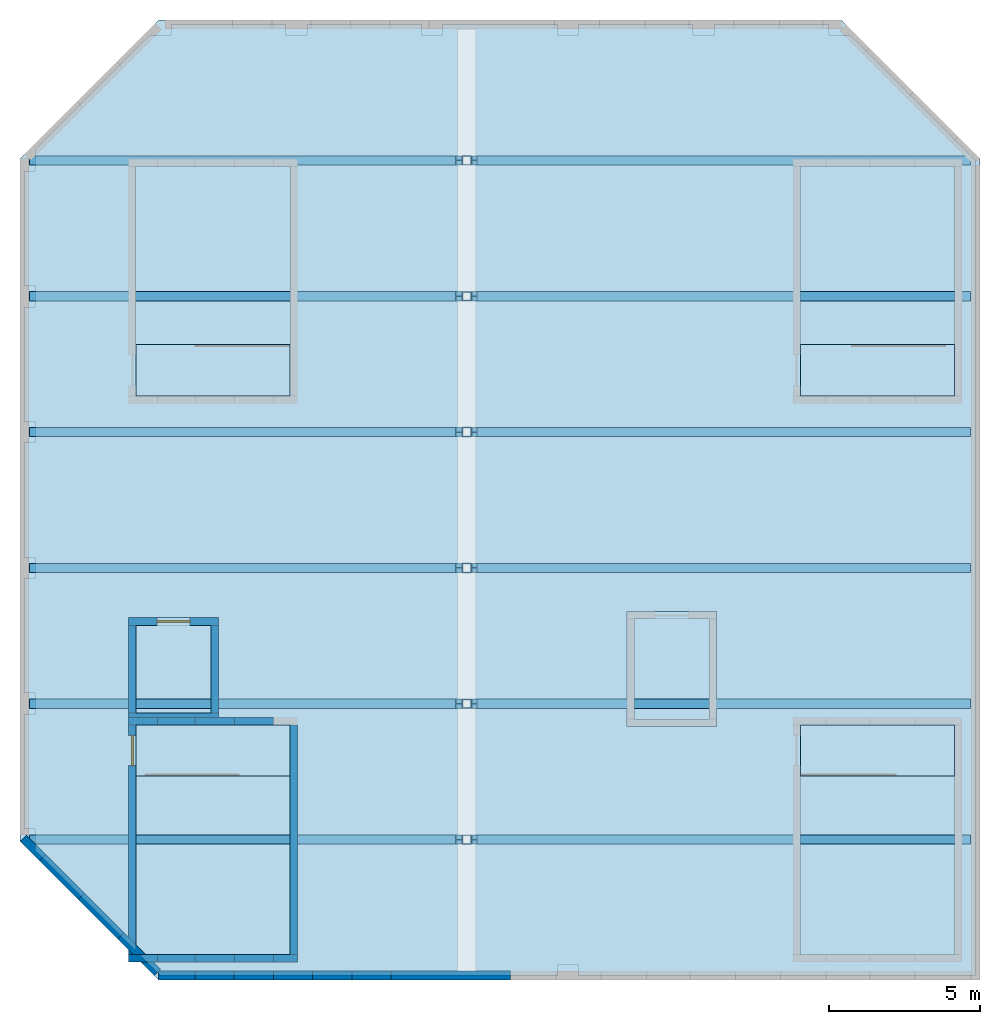
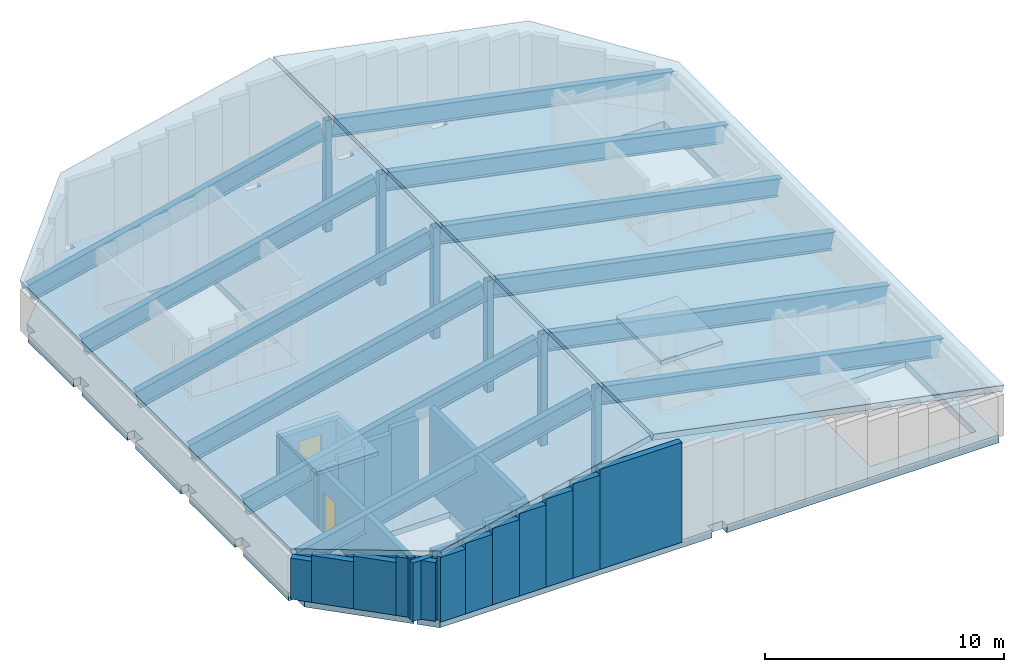
# One storey, part 1 of 4: 26 walls, 18 members, 9 slabs, 2 doors, 2 openings.
"""IFC4 building model written with IfcOpenShell, lengths in metres."""

from ifc_helpers import new_model, si_unit, direction, frame, frame_2d, origin, origin_2d, place, context, subcontext, project, spatial, polyline, rectangle, hollow_rectangle, i_section, outline, extrude, material, layer, layer_set, material_profile, profile_set, type_object, element, fill, save


model = new_model("IFC4")

# Units and contexts
model_context = context("Model", 3, precision=1e-05, world=origin(), true_north=direction((0.0, 1.0)))
body_context = subcontext(model_context, "Body", "Model", "MODEL_VIEW")
ifc_project = project(units=[si_unit("LENGTHUNIT", "METRE"), si_unit("AREAUNIT", "SQUARE_METRE"), si_unit("VOLUMEUNIT", "CUBIC_METRE"), si_unit("PLANEANGLEUNIT", "RADIAN"), si_unit("MASSUNIT", "GRAM", prefix="KILO")], contexts=[model_context])

# Site, building, storey
site_placement = place(None, origin())
site = spatial("IfcSite", under=ifc_project, at=site_placement, CompositionType="ELEMENT")
building_placement = place(site_placement, origin())
building = spatial("IfcBuilding", under=site, at=building_placement, Name="Corbel Stack Research Tower", CompositionType="ELEMENT")
storey_placement = place(building_placement, frame((0.0, 0.0, 329.800048828125)))
storey = spatial("IfcBuildingStorey", under=building, at=storey_placement, Name="RF", CompositionType="ELEMENT", Elevation=329.800048828125)

# Members
ifc_material_1 = material(Name="Steel S355", Category="steel")
ifc_material_profile_1 = material_profile(ifc_material_1, hollow_rectangle(XDim=0.304931640625, YDim=0.304931640625, WallThickness=0.014892578125, at=origin_2d()), Name="HSS12x12x5/8")
ifc_profile_set_1 = profile_set([ifc_material_profile_1], Name="Steel S355")
member_type_1 = type_object("IfcMemberType", Name="King post HSS12x12x5/8", PredefinedType="POST", material=ifc_profile_set_1)
for number, where, z_axis, x_axis, name in (
    (1, (1.14990234375, -4.5, 0.0), (0.0, 0.0, 1.0), (1.0, 0.0, 0.0), "King post -4.5"),
    (2, (1.14990234375, 0.0, 0.0), (0.0, 0.0, 1.0), (1.0, 0.0, 0.0), "King post 0"),
    (3, (1.14990234375, 4.5, 0.0), (0.0, 0.0, 1.0), (1.0, 0.0, 0.0), "King post 4.5"),
    (4, (1.14990234375, 9.0, 0.0), (0.0, 0.0, 1.0), (1.0, 0.0, 0.0), "King post 9"),
    (5, (1.14990234375, 13.5, 0.0), (0.0, 0.0, 1.0), (1.0, 0.0, 0.0), "King post 13.5"),
    (6, (1.14990234375, 18.0, 0.0), (0.0, 0.0, 1.0), (1.0, 0.0, 0.0), "King post 18"),
):
    element("IfcMember", number, at=place(storey_placement, frame(where, z_axis=z_axis, x_axis=x_axis)), inside=storey, type_object=member_type_1, Name=name, PredefinedType="POST", context=body_context, shape_type="SweptSolid", body=[
        extrude(hollow_rectangle(XDim=0.304931640625, YDim=0.304931640625, WallThickness=0.014892578125, at=origin_2d()), origin(), (0.0, 0.0, 1.0), 5.671630859375),
    ])
ifc_material_2 = material(Name="Steel S355", Category="steel")
ifc_material_profile_2 = material_profile(ifc_material_2, i_section(OverallWidth=0.303955078125, OverallDepth=0.903076171875, WebThickness=0.014892578125, FlangeThickness=0.02001953125, at=origin_2d()), Name="W36x135")
ifc_profile_set_2 = profile_set([ifc_material_profile_2], Name="Steel S355")
member_type_2 = type_object("IfcMemberType", Name="Roof rafter W36x135", PredefinedType="RAFTER", material=ifc_profile_set_2)
member_1_placement = place(storey_placement, frame((-13.238037109375, -4.5, 1.889404296875), z_axis=(0.974113756026, 0.0, 0.226058378127), x_axis=(0.0, 1.0, 0.0)))
element("IfcMember", 7, at=member_1_placement, inside=storey, type_object=member_type_2, Name="Roof rafter W -4.5", PredefinedType="RAFTER", context=body_context, shape_type="SweptSolid", body=[
    extrude(i_section(OverallWidth=0.303955078125, OverallDepth=0.903076171875, WebThickness=0.014892578125, FlangeThickness=0.02001953125, at=origin_2d()), origin(), (0.0, 0.0, 1.0), 14.498779296875),
])
member_2_placement = place(storey_placement, frame((17.750732421875, -4.5, 1.883544921875), z_axis=(-0.980241418389, 0.0, 0.197804857563), x_axis=(0.0, -1.0, 0.0)))
element("IfcMember", 8, at=member_2_placement, inside=storey, type_object=member_type_2, Name="Roof rafter E -4.5", PredefinedType="RAFTER", context=body_context, shape_type="SweptSolid", body=[
    extrude(i_section(OverallWidth=0.303955078125, OverallDepth=0.903076171875, WebThickness=0.014892578125, FlangeThickness=0.02001953125, at=origin_2d()), origin(), (0.0, 0.0, 1.0), 16.678466796875),
])
member_3_placement = place(storey_placement, frame((-13.238037109375, 0.0, 1.889404296875), z_axis=(0.974113756026, 0.0, 0.226058378127), x_axis=(0.0, 1.0, 0.0)))
element("IfcMember", 9, at=member_3_placement, inside=storey, type_object=member_type_2, Name="Roof rafter W 0", PredefinedType="RAFTER", context=body_context, shape_type="SweptSolid", body=[
    extrude(i_section(OverallWidth=0.303955078125, OverallDepth=0.903076171875, WebThickness=0.014892578125, FlangeThickness=0.02001953125, at=origin_2d()), origin(), (0.0, 0.0, 1.0), 14.498779296875),
])
member_4_placement = place(storey_placement, frame((17.750732421875, 0.0, 1.883544921875), z_axis=(-0.980241418389, 0.0, 0.197804857563), x_axis=(0.0, -1.0, 0.0)))
element("IfcMember", 10, at=member_4_placement, inside=storey, type_object=member_type_2, Name="Roof rafter E 0", PredefinedType="RAFTER", context=body_context, shape_type="SweptSolid", body=[
    extrude(i_section(OverallWidth=0.303955078125, OverallDepth=0.903076171875, WebThickness=0.014892578125, FlangeThickness=0.02001953125, at=origin_2d()), origin(), (0.0, 0.0, 1.0), 16.678466796875),
])
member_5_placement = place(storey_placement, frame((-13.238037109375, 4.5, 1.889404296875), z_axis=(0.974113756026, 0.0, 0.226058378127), x_axis=(0.0, 1.0, 0.0)))
element("IfcMember", 11, at=member_5_placement, inside=storey, type_object=member_type_2, Name="Roof rafter W 4.5", PredefinedType="RAFTER", context=body_context, shape_type="SweptSolid", body=[
    extrude(i_section(OverallWidth=0.303955078125, OverallDepth=0.903076171875, WebThickness=0.014892578125, FlangeThickness=0.02001953125, at=origin_2d()), origin(), (0.0, 0.0, 1.0), 14.498779296875),
])
member_6_placement = place(storey_placement, frame((17.750732421875, 4.5, 1.883544921875), z_axis=(-0.980241418389, 0.0, 0.197804857563), x_axis=(0.0, -1.0, 0.0)))
element("IfcMember", 12, at=member_6_placement, inside=storey, type_object=member_type_2, Name="Roof rafter E 4.5", PredefinedType="RAFTER", context=body_context, shape_type="SweptSolid", body=[
    extrude(i_section(OverallWidth=0.303955078125, OverallDepth=0.903076171875, WebThickness=0.014892578125, FlangeThickness=0.02001953125, at=origin_2d()), origin(), (0.0, 0.0, 1.0), 16.678466796875),
])
member_7_placement = place(storey_placement, frame((-13.238037109375, 9.0, 1.889404296875), z_axis=(0.974113756026, 0.0, 0.226058378127), x_axis=(0.0, 1.0, 0.0)))
element("IfcMember", 13, at=member_7_placement, inside=storey, type_object=member_type_2, Name="Roof rafter W 9", PredefinedType="RAFTER", context=body_context, shape_type="SweptSolid", body=[
    extrude(i_section(OverallWidth=0.303955078125, OverallDepth=0.903076171875, WebThickness=0.014892578125, FlangeThickness=0.02001953125, at=origin_2d()), origin(), (0.0, 0.0, 1.0), 14.498779296875),
])
member_8_placement = place(storey_placement, frame((17.750732421875, 9.0, 1.883544921875), z_axis=(-0.980241418389, 0.0, 0.197804857563), x_axis=(0.0, -1.0, 0.0)))
element("IfcMember", 14, at=member_8_placement, inside=storey, type_object=member_type_2, Name="Roof rafter E 9", PredefinedType="RAFTER", context=body_context, shape_type="SweptSolid", body=[
    extrude(i_section(OverallWidth=0.303955078125, OverallDepth=0.903076171875, WebThickness=0.014892578125, FlangeThickness=0.02001953125, at=origin_2d()), origin(), (0.0, 0.0, 1.0), 16.678466796875),
])
member_9_placement = place(storey_placement, frame((-13.238037109375, 13.5, 1.889404296875), z_axis=(0.974113756026, 0.0, 0.226058378127), x_axis=(0.0, 1.0, 0.0)))
element("IfcMember", 15, at=member_9_placement, inside=storey, type_object=member_type_2, Name="Roof rafter W 13.5", PredefinedType="RAFTER", context=body_context, shape_type="SweptSolid", body=[
    extrude(i_section(OverallWidth=0.303955078125, OverallDepth=0.903076171875, WebThickness=0.014892578125, FlangeThickness=0.02001953125, at=origin_2d()), origin(), (0.0, 0.0, 1.0), 14.498779296875),
])
member_10_placement = place(storey_placement, frame((17.750732421875, 13.5, 1.883544921875), z_axis=(-0.980241418389, 0.0, 0.197804857563), x_axis=(0.0, -1.0, 0.0)))
element("IfcMember", 16, at=member_10_placement, inside=storey, type_object=member_type_2, Name="Roof rafter E 13.5", PredefinedType="RAFTER", context=body_context, shape_type="SweptSolid", body=[
    extrude(i_section(OverallWidth=0.303955078125, OverallDepth=0.903076171875, WebThickness=0.014892578125, FlangeThickness=0.02001953125, at=origin_2d()), origin(), (0.0, 0.0, 1.0), 16.678466796875),
])
member_11_placement = place(storey_placement, frame((-13.238037109375, 18.0, 1.889404296875), z_axis=(0.974113756026, 0.0, 0.226058378127), x_axis=(0.0, 1.0, 0.0)))
element("IfcMember", 17, at=member_11_placement, inside=storey, type_object=member_type_2, Name="Roof rafter W 18", PredefinedType="RAFTER", context=body_context, shape_type="SweptSolid", body=[
    extrude(i_section(OverallWidth=0.303955078125, OverallDepth=0.903076171875, WebThickness=0.014892578125, FlangeThickness=0.02001953125, at=origin_2d()), origin(), (0.0, 0.0, 1.0), 14.498779296875),
])
member_12_placement = place(storey_placement, frame((17.750732421875, 18.0, 1.883544921875), z_axis=(-0.980241418389, 0.0, 0.197804857563), x_axis=(0.0, -1.0, 0.0)))
element("IfcMember", 18, at=member_12_placement, inside=storey, type_object=member_type_2, Name="Roof rafter E 18", PredefinedType="RAFTER", context=body_context, shape_type="SweptSolid", body=[
    extrude(i_section(OverallWidth=0.303955078125, OverallDepth=0.903076171875, WebThickness=0.014892578125, FlangeThickness=0.02001953125, at=origin_2d()), origin(), (0.0, 0.0, 1.0), 16.678466796875),
])

# Slabs
ifc_material_3 = material(Name="Concrete C45/55", Category="concrete")
ifc_layer_1 = layer(ifc_material_3, 0.199951171875)
ifc_layer_set_1 = layer_set([ifc_layer_1], Name="Concrete C45/55")
slab_type_1 = type_object("IfcSlabType", Name="PT-200", PredefinedType="FLOOR", material=ifc_layer_set_1)
slab_1_placement = place(storey_placement, frame((0.0, 0.0, 2.599853515625)))
element("IfcSlab", 19, at=slab_1_placement, inside=storey, type_object=slab_type_1, Name="Lift FS1 housing top slab", PredefinedType="FLOOR", context=body_context, shape_type="SweptSolid", body=[
    extrude(outline(polyline([(-7.074951171875, -0.550048828125), (-7.074951171875, 2.85009765625), (-10.050048828125, 2.85009765625), (-10.050048828125, -0.550048828125), (-7.074951171875, -0.550048828125)])), origin(), (0.0, 0.0, 1.0), 0.2001953125),
])
slab_2_placement = place(storey_placement, frame((0.0, 0.0, 2.599853515625)))
element("IfcSlab", 20, at=slab_2_placement, inside=storey, type_object=slab_type_1, Name="Lift FS2 housing top slab", PredefinedType="FLOOR", context=body_context, shape_type="SweptSolid", body=[
    extrude(outline(polyline([(9.425048828125, -0.75), (9.425048828125, 3.050048828125), (6.449951171875, 3.050048828125), (6.449951171875, -0.75), (9.425048828125, -0.75)])), origin(), (0.0, 0.0, 1.0), 0.2001953125),
])
ifc_material_4 = material(Name="Concrete C45/55", Category="concrete")
ifc_layer_2 = layer(ifc_material_4, 0.300048828125)
ifc_layer_set_2 = layer_set([ifc_layer_2], Name="Concrete C45/55")
slab_type_2 = type_object("IfcSlabType", Name="PT-300", PredefinedType="FLOOR", material=ifc_layer_set_2)
slab_3_placement = place(storey_placement, frame((0.0, 0.0, -0.300048828125)))
element("IfcSlab", 21, at=slab_3_placement, inside=storey, type_object=slab_type_2, Name="Stair floor landing ST-W1", PredefinedType="FLOOR", context=body_context, shape_type="SweptSolid", body=[
    extrude(outline(polyline([(-9.800048828125, -2.39990234375), (-4.699951171875, -2.39990234375), (-4.699951171875, -0.699951171875), (-9.800048828125, -0.699951171875), (-9.800048828125, -2.39990234375)])), origin(), (0.0, 0.0, 1.0), 0.300048828125),
])
slab_4_placement = place(storey_placement, frame((0.0, 0.0, -0.300048828125)))
element("IfcSlab", 22, at=slab_4_placement, inside=storey, type_object=slab_type_2, Name="Stair floor landing ST-W2", PredefinedType="FLOOR", context=body_context, shape_type="SweptSolid", body=[
    extrude(outline(polyline([(-9.800048828125, 10.199951171875), (-4.699951171875, 10.199951171875), (-4.699951171875, 11.89990234375), (-9.800048828125, 11.89990234375), (-9.800048828125, 10.199951171875)])), origin(), (0.0, 0.0, 1.0), 0.300048828125),
])
slab_5_placement = place(storey_placement, frame((0.0, 0.0, -0.300048828125)))
element("IfcSlab", 23, at=slab_5_placement, inside=storey, type_object=slab_type_2, Name="Stair floor landing ST-E1", PredefinedType="FLOOR", context=body_context, shape_type="SweptSolid", body=[
    extrude(outline(polyline([(12.199951171875, -2.39990234375), (17.300048828125, -2.39990234375), (17.300048828125, -0.699951171875), (12.199951171875, -0.699951171875), (12.199951171875, -2.39990234375)])), origin(), (0.0, 0.0, 1.0), 0.300048828125),
])
slab_6_placement = place(storey_placement, frame((0.0, 0.0, -0.300048828125)))
element("IfcSlab", 24, at=slab_6_placement, inside=storey, type_object=slab_type_2, Name="Stair floor landing ST-E2", PredefinedType="FLOOR", context=body_context, shape_type="SweptSolid", body=[
    extrude(outline(polyline([(12.199951171875, 10.199951171875), (17.300048828125, 10.199951171875), (17.300048828125, 11.89990234375), (12.199951171875, 11.89990234375), (12.199951171875, 10.199951171875)])), origin(), (0.0, 0.0, 1.0), 0.300048828125),
])
ifc_material_5 = material(Name="Concrete C45/55", Category="concrete")
ifc_layer_3 = layer(ifc_material_5, 0.39990234375)
ifc_layer_set_3 = layer_set([ifc_layer_3], Name="Concrete C45/55")
slab_type_3 = type_object("IfcSlabType", Name="PT-400", PredefinedType="FLOOR", material=ifc_layer_set_3)
slab_7_placement = place(storey_placement, frame((0.0, 0.0, -0.400146484375)))
element("IfcSlab", 25, at=slab_7_placement, inside=storey, type_object=slab_type_3, Name="Attic deck slab", PredefinedType="FLOOR", context=body_context, shape_type="SweptSolid", body=[
    extrude(outline(polyline([(4.14990234375, -9.0), (4.14990234375, -8.64990234375), (4.85009765625, -8.64990234375), (4.85009765625, -9.0), (18.0, -9.0), (18.0, 18.0), (13.85009765625, 22.14990234375), (13.14990234375, 22.14990234375), (13.14990234375, 22.5), (9.35009765625, 22.5), (9.35009765625, 22.14990234375), (8.64990234375, 22.14990234375), (8.64990234375, 22.5), (4.85009765625, 22.5), (4.85009765625, 22.14990234375), (4.14990234375, 22.14990234375), (4.14990234375, 22.5), (0.35009765625, 22.5), (0.35009765625, 22.14990234375), (-0.35009765625, 22.14990234375), (-0.35009765625, 22.5), (-4.14990234375, 22.5), (-4.14990234375, 22.14990234375), (-4.85009765625, 22.14990234375), (-4.85009765625, 22.5), (-8.64990234375, 22.5), (-8.64990234375, 22.14990234375), (-9.35009765625, 22.14990234375), (-13.14990234375, 18.35009765625), (-13.14990234375, 17.64990234375), (-13.5, 17.64990234375), (-13.5, 13.85009765625), (-13.14990234375, 13.85009765625), (-13.14990234375, 13.14990234375), (-13.5, 13.14990234375), (-13.5, 9.35009765625), (-13.14990234375, 9.35009765625), (-13.14990234375, 8.64990234375), (-13.5, 8.64990234375), (-13.5, 4.85009765625), (-13.14990234375, 4.85009765625), (-13.14990234375, 4.14990234375), (-13.5, 4.14990234375), (-13.5, 0.35009765625), (-13.14990234375, 0.35009765625), (-13.14990234375, -0.35009765625), (-13.5, -0.35009765625), (-13.5, -4.14990234375), (-13.14990234375, -4.14990234375), (-13.14990234375, -4.85009765625), (-9.800048828125, -8.199951171875), (-9.800048828125, -0.699951171875), (-4.699951171875, -0.699951171875), (-4.699951171875, -8.300048828125), (-9.699951171875, -8.300048828125), (-9.0, -9.0), (4.14990234375, -9.0)]), holes=[polyline([(17.300048828125, -8.300048828125), (12.199951171875, -8.300048828125), (12.199951171875, -0.699951171875), (17.300048828125, -0.699951171875), (17.300048828125, -8.300048828125)]), polyline([(17.300048828125, 10.199951171875), (12.199951171875, 10.199951171875), (12.199951171875, 17.800048828125), (17.300048828125, 17.800048828125), (17.300048828125, 10.199951171875)]), polyline([(-4.699951171875, 10.199951171875), (-9.800048828125, 10.199951171875), (-9.800048828125, 17.800048828125), (-4.699951171875, 17.800048828125), (-4.699951171875, 10.199951171875)]), polyline([(-7.324951171875, -0.300048828125), (-9.800048828125, -0.300048828125), (-9.800048828125, 2.60009765625), (-7.324951171875, 2.60009765625), (-7.324951171875, -0.300048828125)]), polyline([(9.175048828125, -0.5), (6.699951171875, -0.5), (6.699951171875, 2.800048828125), (9.175048828125, 2.800048828125), (9.175048828125, -0.5)])]), origin(), (0.0, 0.0, 1.0), 0.400146484375),
])
ifc_material_6 = material(Name="Concrete C45/55", Category="concrete")
ifc_layer_4 = layer(ifc_material_6, 0.300048828125)
ifc_layer_set_4 = layer_set([ifc_layer_4], Name="Concrete C45/55")
slab_type_4 = type_object("IfcSlabType", Name="Roof slab 300 C45/55", PredefinedType="ROOF", material=ifc_layer_set_4)
slab_8_placement = place(storey_placement, frame((-9.06201171875, -9.14990234375, 3.6298828125), z_axis=(-0.226075400282, 0.0, 0.974109805611), x_axis=(0.974109805611, 0.0, 0.226075400282)))
element("IfcSlab", 26, at=slab_8_placement, inside=storey, type_object=slab_type_4, Name="Roof plane west", PredefinedType="ROOF", context=body_context, shape_type="SweptSolid", body=[
    extrude(outline(polyline([(0.0, 0.0), (10.401388988812204, 0.0), (10.401388988812204, 31.7998046875), (0.0, 31.7998046875), (-4.7098111053882095, 27.2119140625), (-4.7098111053882095, 4.587890625), (0.0, 0.0)])), origin(), (0.0, 0.0, -1.0), 0.300048828125),
])
slab_9_placement = place(storey_placement, frame((1.22998046875, 22.64990234375, 5.98388671875), z_axis=(0.197805051075, 2.96385e-07, 0.980241379339), x_axis=(5.8626e-08, -1.0, 2.90528e-07)))
element("IfcSlab", 27, at=slab_9_placement, inside=storey, type_object=slab_type_4, Name="Roof plane east", PredefinedType="ROOF", context=body_context, shape_type="SweptSolid", body=[
    extrude(outline(polyline([(0.0, 0.0), (31.799804687498604, -2.1043345536378313e-22), (31.79980468749901, 17.260974656499492), (4.587890625000202, 17.260974656499492), (-5.183812406936341e-12, 12.580610214550644), (0.0, 0.0)])), origin(), (0.0, 0.0, -1.0), 0.300048828125),
])

# Wall
ifc_material_7 = material(Name="Concrete C45/55", Category="concrete")
ifc_layer_5 = layer(ifc_material_7, 0.25)
ifc_layer_set_5 = layer_set([ifc_layer_5], Name="Concrete C45/55")
wall_type_1 = type_object("IfcWallType", Name="Lift housing wall 250 C45/55", PredefinedType="SOLIDWALL", material=ifc_layer_set_5)
wall_1_placement = place(storey_placement, frame((-10.050048828125, -0.425048828125, 0.0), z_axis=(0.0, 0.0, 1.0), x_axis=(1.0, 0.0, 0.0)))
element("IfcWall", 28, at=wall_1_placement, inside=storey, type_object=wall_type_1, Name="Lift FS1 housing wall S", PredefinedType="SOLIDWALL", context=body_context, shape_type="SweptSolid", body=[
    extrude(rectangle(XDim=2.97509765625, YDim=0.25, at=frame_2d((1.487548828125, 0.0))), origin(), (0.0, 0.0, 1.0), 2.599853515625),
])

# Wall, opening, door
wall_2_placement = place(storey_placement, frame((-10.050048828125, 2.72509765625, 0.0), z_axis=(0.0, 0.0, 1.0), x_axis=(1.0, 0.0, 0.0)))
wall_2 = element("IfcWall", 29, at=wall_2_placement, inside=storey, type_object=wall_type_1, Name="Lift FS1 housing wall N", PredefinedType="SOLIDWALL", context=body_context, shape_type="SweptSolid", body=[
    extrude(rectangle(XDim=2.97509765625, YDim=0.25, at=frame_2d((1.487548828125, 0.0))), origin(), (0.0, 0.0, 1.0), 2.599853515625),
])
opening_1_placement = place(wall_2_placement, frame((0.9375, 0.0, 0.0)))
opening_1 = element("IfcOpeningElement", 30, at=opening_1_placement, cuts=wall_2, Name="Opening LD-FS1-RF", PredefinedType="OPENING", context=body_context, shape_type="SweptSolid", body=[
    extrude(rectangle(XDim=1.10009765625, YDim=2.10009765625, at=frame_2d((0.550048828125, 1.050048828125))), frame((0.0, 0.135009765625, 0.0), z_axis=(0.0, -1.0, 0.0), x_axis=(1.0, 0.0, 0.0)), (0.0, 0.0, 1.0), 0.27001953125),
])
ifc_material_8 = material(Name="Stainless steel landing door", Category="steel")
door_type_1 = type_object("IfcDoorType", Name="Lift landing door 1100 x 2100", OperationType="DOUBLE_DOOR_SLIDING", PredefinedType="DOOR", material=ifc_material_8)
door_1_placement = place(opening_1_placement, origin())
door_1 = element("IfcDoor", 31, at=door_1_placement, inside=storey, type_object=door_type_1, Name="Landing door FS1 RF", OperationType="DOUBLE_DOOR_SLIDING", OverallHeight=2.10009765625, OverallWidth=1.10009765625, PredefinedType="DOOR", context=body_context, shape_type="SweptSolid", body=[
    extrude(rectangle(XDim=1.10009765625, YDim=2.10009765625, at=frame_2d((0.550048828125, 1.050048828125))), frame((0.0, 0.02490234375, 0.0), z_axis=(0.0, -1.0, 0.0), x_axis=(1.0, 0.0, 0.0)), (0.0, 0.0, 1.0), 0.050048828125),
])
fill(opening_1, door_1)

# Walls
for number, where, z_axis, x_axis, name in (
    (32, (-9.925048828125, -0.300048828125, 0.0), (0.0, 0.0, 1.0), (0.0, 1.0, 0.0), "Lift FS1 housing wall W"),
    (33, (-7.199951171875, -0.300048828125, 0.0), (0.0, 0.0, 1.0), (0.0, 1.0, 0.0), "Lift FS1 housing wall E"),
):
    element("IfcWall", number, at=place(storey_placement, frame(where, z_axis=z_axis, x_axis=x_axis)), inside=storey, type_object=wall_type_1, Name=name, PredefinedType="SOLIDWALL", context=body_context, shape_type="SweptSolid", body=[
        extrude(rectangle(XDim=2.900146484375, YDim=0.25, at=frame_2d((1.4501953125, 0.0))), origin(), (0.0, 0.0, 1.0), 2.599853515625),
    ])
ifc_material_9 = material(Name="Concrete C45/55", Category="concrete")
ifc_layer_6 = layer(ifc_material_9, 0.300048828125)
ifc_layer_set_6 = layer_set([ifc_layer_6], Name="Concrete C45/55")
wall_type_2 = type_object("IfcWallType", Name="Precast crest wall 300 C45/55", PredefinedType="SOLIDWALL", material=ifc_layer_set_6)
wall_3_placement = place(storey_placement, frame((-9.054931640625, -9.0, 0.0), z_axis=(0.0, 0.0, 1.0), x_axis=(1.0, 0.0, 0.0)))
element("IfcWall", 34, at=wall_3_placement, inside=storey, type_object=wall_type_2, Name="Crest wall 1 part 1", PredefinedType="SOLIDWALL", context=body_context, shape_type="SweptSolid", body=[
    extrude(rectangle(XDim=1.2001953125, YDim=0.300048828125, at=frame_2d((0.60009765625, 0.0))), origin(), (0.0, 0.0, 1.0), 3.300048828125),
])
wall_4_placement = place(storey_placement, frame((-7.854736328125, -9.0, 0.0), z_axis=(0.0, 0.0, 1.0), x_axis=(1.0, 0.0, 0.0)))
element("IfcWall", 35, at=wall_4_placement, inside=storey, type_object=wall_type_2, Name="Crest wall 1 part 2", PredefinedType="SOLIDWALL", context=body_context, shape_type="SweptSolid", body=[
    extrude(rectangle(XDim=1.30029296875, YDim=0.300048828125, at=frame_2d((0.650146484375, 0.0))), origin(), (0.0, 0.0, 1.0), 3.599853515625),
])
wall_5_placement = place(storey_placement, frame((-6.554443359375, -9.0, 0.0), z_axis=(0.0, 0.0, 1.0), x_axis=(1.0, 0.0, 0.0)))
element("IfcWall", 36, at=wall_5_placement, inside=storey, type_object=wall_type_2, Name="Crest wall 1 part 3", PredefinedType="SOLIDWALL", context=body_context, shape_type="SweptSolid", body=[
    extrude(rectangle(XDim=1.300048828125, YDim=0.300048828125, at=frame_2d((0.64990234375, 0.0))), origin(), (0.0, 0.0, 1.0), 3.89990234375),
])
wall_6_placement = place(storey_placement, frame((-5.25439453125, -9.0, 0.0), z_axis=(0.0, 0.0, 1.0), x_axis=(1.0, 0.0, 0.0)))
element("IfcWall", 37, at=wall_6_placement, inside=storey, type_object=wall_type_2, Name="Crest wall 1 part 4", PredefinedType="SOLIDWALL", context=body_context, shape_type="SweptSolid", body=[
    extrude(rectangle(XDim=1.30029296875, YDim=0.300048828125, at=frame_2d((0.650146484375, 0.0))), origin(), (0.0, 0.0, 1.0), 4.199951171875),
])
wall_7_placement = place(storey_placement, frame((-3.9541015625, -9.0, 0.0), z_axis=(0.0, 0.0, 1.0), x_axis=(1.0, 0.0, 0.0)))
element("IfcWall", 38, at=wall_7_placement, inside=storey, type_object=wall_type_2, Name="Crest wall 1 part 5", PredefinedType="SOLIDWALL", context=body_context, shape_type="SweptSolid", body=[
    extrude(rectangle(XDim=1.30029296875, YDim=0.300048828125, at=frame_2d((0.650146484375, 0.0))), origin(), (0.0, 0.0, 1.0), 4.5),
])
wall_8_placement = place(storey_placement, frame((-2.65380859375, -9.0, 0.0), z_axis=(0.0, 0.0, 1.0), x_axis=(1.0, 0.0, 0.0)))
element("IfcWall", 39, at=wall_8_placement, inside=storey, type_object=wall_type_2, Name="Crest wall 1 part 6", PredefinedType="SOLIDWALL", context=body_context, shape_type="SweptSolid", body=[
    extrude(rectangle(XDim=1.30029296875, YDim=0.300048828125, at=frame_2d((0.650146484375, 0.0))), origin(), (0.0, 0.0, 1.0), 4.800048828125),
])
wall_9_placement = place(storey_placement, frame((-1.353515625, -9.0, 0.0), z_axis=(0.0, 0.0, 1.0), x_axis=(1.0, 0.0, 0.0)))
element("IfcWall", 40, at=wall_9_placement, inside=storey, type_object=wall_type_2, Name="Crest wall 1 part 7", PredefinedType="SOLIDWALL", context=body_context, shape_type="SweptSolid", body=[
    extrude(rectangle(XDim=3.95068359375, YDim=0.300048828125, at=frame_2d((1.975341796875, 0.0))), origin(), (0.0, 0.0, 1.0), 5.099853515625),
])
wall_10_placement = place(storey_placement, frame((-13.538818359375, -4.461181640625, 0.0), z_axis=(0.0, 0.0, 1.0), x_axis=(0.707106781187, -0.707106781187, 0.0)))
element("IfcWall", 41, at=wall_10_placement, inside=storey, type_object=wall_type_2, Name="Crest wall 7 part 1", PredefinedType="SOLIDWALL", context=body_context, shape_type="SweptSolid", body=[
    extrude(rectangle(XDim=0.9033203125, YDim=0.300048828125, at=frame_2d((0.45166015625, 0.0))), origin(), (0.0, 0.0, 1.0), 2.099853515625),
])
wall_11_placement = place(storey_placement, frame((-12.900146484375, -5.099853515625, 0.0), z_axis=(0.0, 0.0, 1.0), x_axis=(0.707106781187, -0.707106781187, 0.0)))
element("IfcWall", 42, at=wall_11_placement, inside=storey, type_object=wall_type_2, Name="Crest wall 7 part 2", PredefinedType="SOLIDWALL", context=body_context, shape_type="SweptSolid", body=[
    extrude(rectangle(XDim=1.80712890625, YDim=0.300048828125, at=frame_2d((0.903564453125, 0.0))), origin(), (0.0, 0.0, 1.0), 2.39990234375),
])
wall_12_placement = place(storey_placement, frame((-11.622314453125, -6.377685546875, 0.0), z_axis=(0.0, 0.0, 1.0), x_axis=(0.707106781187, -0.707106781187, 0.0)))
element("IfcWall", 43, at=wall_12_placement, inside=storey, type_object=wall_type_2, Name="Crest wall 7 part 3", PredefinedType="SOLIDWALL", context=body_context, shape_type="SweptSolid", body=[
    extrude(rectangle(XDim=1.857177734375, YDim=0.300048828125, at=frame_2d((0.9287109375, 0.0))), origin(), (0.0, 0.0, 1.0), 2.699951171875),
])
wall_13_placement = place(storey_placement, frame((-10.30908203125, -7.69091796875, 0.0), z_axis=(0.0, 0.0, 1.0), x_axis=(0.707106781187, -0.707106781187, 0.0)))
element("IfcWall", 44, at=wall_13_placement, inside=storey, type_object=wall_type_2, Name="Crest wall 7 part 4", PredefinedType="SOLIDWALL", context=body_context, shape_type="SweptSolid", body=[
    extrude(rectangle(XDim=1.706298828125, YDim=0.300048828125, at=frame_2d((0.85302734375, 0.0))), origin(), (0.0, 0.0, 1.0), 3.0),
])
ifc_material_10 = material(Name="Concrete C45/55", Category="concrete")
ifc_layer_7 = layer(ifc_material_10, 0.25)
ifc_layer_set_7 = layer_set([ifc_layer_7], Name="Concrete C45/55")
wall_type_3 = type_object("IfcWallType", Name="Stair head-house wall 250 C45/55", PredefinedType="SOLIDWALL", material=ifc_layer_set_7)
wall_14_placement = place(storey_placement, frame((-10.050048828125, -8.425048828125, 0.0), z_axis=(0.0, 0.0, 1.0), x_axis=(1.0, 0.0, 0.0)))
element("IfcWall", 45, at=wall_14_placement, inside=storey, type_object=wall_type_3, Name="Stair head-house wall ST-W1 S part 1", PredefinedType="SOLIDWALL", context=body_context, shape_type="SweptSolid", body=[
    extrude(rectangle(XDim=0.949951171875, YDim=0.25, at=frame_2d((0.47509765625, 0.0))), origin(), (0.0, 0.0, 1.0), 3.0),
])
wall_15_placement = place(storey_placement, frame((-9.10009765625, -8.425048828125, 0.0), z_axis=(0.0, 0.0, 1.0), x_axis=(1.0, 0.0, 0.0)))
element("IfcWall", 46, at=wall_15_placement, inside=storey, type_object=wall_type_3, Name="Stair head-house wall ST-W1 S part 2", PredefinedType="SOLIDWALL", context=body_context, shape_type="SweptSolid", body=[
    extrude(rectangle(XDim=1.25, YDim=0.25, at=frame_2d((0.625, 0.0))), origin(), (0.0, 0.0, 1.0), 3.300048828125),
])
wall_16_placement = place(storey_placement, frame((-7.85009765625, -8.425048828125, 0.0), z_axis=(0.0, 0.0, 1.0), x_axis=(1.0, 0.0, 0.0)))
element("IfcWall", 47, at=wall_16_placement, inside=storey, type_object=wall_type_3, Name="Stair head-house wall ST-W1 S part 3", PredefinedType="SOLIDWALL", context=body_context, shape_type="SweptSolid", body=[
    extrude(rectangle(XDim=1.300048828125, YDim=0.25, at=frame_2d((0.64990234375, 0.0))), origin(), (0.0, 0.0, 1.0), 3.599853515625),
])
wall_17_placement = place(storey_placement, frame((-6.550048828125, -8.425048828125, 0.0), z_axis=(0.0, 0.0, 1.0), x_axis=(1.0, 0.0, 0.0)))
element("IfcWall", 48, at=wall_17_placement, inside=storey, type_object=wall_type_3, Name="Stair head-house wall ST-W1 S part 4", PredefinedType="SOLIDWALL", context=body_context, shape_type="SweptSolid", body=[
    extrude(rectangle(XDim=1.300048828125, YDim=0.25, at=frame_2d((0.64990234375, 0.0))), origin(), (0.0, 0.0, 1.0), 3.89990234375),
])
wall_18_placement = place(storey_placement, frame((-5.25, -8.425048828125, 0.0), z_axis=(0.0, 0.0, 1.0), x_axis=(1.0, 0.0, 0.0)))
element("IfcWall", 49, at=wall_18_placement, inside=storey, type_object=wall_type_3, Name="Stair head-house wall ST-W1 S part 5", PredefinedType="SOLIDWALL", context=body_context, shape_type="SweptSolid", body=[
    extrude(rectangle(XDim=0.800048828125, YDim=0.25, at=frame_2d((0.39990234375, 0.0))), origin(), (0.0, 0.0, 1.0), 4.199951171875),
])
wall_19_placement = place(storey_placement, frame((-10.050048828125, -0.574951171875, 0.0), z_axis=(0.0, 0.0, 1.0), x_axis=(1.0, 0.0, 0.0)))
element("IfcWall", 50, at=wall_19_placement, inside=storey, type_object=wall_type_3, Name="Stair head-house wall ST-W1 N part 1", PredefinedType="SOLIDWALL", context=body_context, shape_type="SweptSolid", body=[
    extrude(rectangle(XDim=0.949951171875, YDim=0.25, at=frame_2d((0.47509765625, 0.0))), origin(), (0.0, 0.0, 1.0), 3.0),
])
wall_20_placement = place(storey_placement, frame((-9.10009765625, -0.574951171875, 0.0), z_axis=(0.0, 0.0, 1.0), x_axis=(1.0, 0.0, 0.0)))
element("IfcWall", 51, at=wall_20_placement, inside=storey, type_object=wall_type_3, Name="Stair head-house wall ST-W1 N part 2", PredefinedType="SOLIDWALL", context=body_context, shape_type="SweptSolid", body=[
    extrude(rectangle(XDim=1.25, YDim=0.25, at=frame_2d((0.625, 0.0))), origin(), (0.0, 0.0, 1.0), 3.300048828125),
])
wall_21_placement = place(storey_placement, frame((-7.85009765625, -0.574951171875, 0.0), z_axis=(0.0, 0.0, 1.0), x_axis=(1.0, 0.0, 0.0)))
element("IfcWall", 52, at=wall_21_placement, inside=storey, type_object=wall_type_3, Name="Stair head-house wall ST-W1 N part 3", PredefinedType="SOLIDWALL", context=body_context, shape_type="SweptSolid", body=[
    extrude(rectangle(XDim=1.300048828125, YDim=0.25, at=frame_2d((0.64990234375, 0.0))), origin(), (0.0, 0.0, 1.0), 3.599853515625),
])
wall_22_placement = place(storey_placement, frame((-6.550048828125, -0.574951171875, 0.0), z_axis=(0.0, 0.0, 1.0), x_axis=(1.0, 0.0, 0.0)))
element("IfcWall", 53, at=wall_22_placement, inside=storey, type_object=wall_type_3, Name="Stair head-house wall ST-W1 N part 4", PredefinedType="SOLIDWALL", context=body_context, shape_type="SweptSolid", body=[
    extrude(rectangle(XDim=1.300048828125, YDim=0.25, at=frame_2d((0.64990234375, 0.0))), origin(), (0.0, 0.0, 1.0), 3.89990234375),
])

# Wall, opening, door
wall_23_placement = place(storey_placement, frame((-9.925048828125, -8.300048828125, 0.0), z_axis=(0.0, 0.0, 1.0), x_axis=(0.0, 1.0, 0.0)))
wall_23 = element("IfcWall", 54, at=wall_23_placement, inside=storey, type_object=wall_type_3, Name="Stair head-house wall ST-W1 W", PredefinedType="SOLIDWALL", context=body_context, shape_type="SweptSolid", body=[
    extrude(rectangle(XDim=7.60009765625, YDim=0.25, at=frame_2d((3.800048828125, 0.0))), origin(), (0.0, 0.0, 1.0), 3.090576171875),
])
opening_2_placement = place(wall_23_placement, frame((6.25, 0.0, 0.0)))
opening_2 = element("IfcOpeningElement", 55, at=opening_2_placement, cuts=wall_23, Name="Opening DW1-R", PredefinedType="OPENING", context=body_context, shape_type="SweptSolid", body=[
    extrude(rectangle(XDim=1.0, YDim=2.10009765625, at=frame_2d((0.5, 1.050048828125))), frame((0.0, 0.135009765625, 0.0), z_axis=(0.0, -1.0, 0.0), x_axis=(1.0, 0.0, 0.0)), (0.0, 0.0, 1.0), 0.27001953125),
])
ifc_material_11 = material(Name="Steel, painted", Category="steel")
door_type_2 = type_object("IfcDoorType", Name="Steel door 1000 x 2100 FD120", OperationType="SINGLE_SWING_LEFT", PredefinedType="DOOR", material=ifc_material_11)
door_2_placement = place(opening_2_placement, origin())
door_2 = element("IfcDoor", 56, at=door_2_placement, inside=storey, type_object=door_type_2, Name="Stair ST-W1 roof level door", OperationType="SINGLE_SWING_LEFT", OverallHeight=2.10009765625, OverallWidth=1.0, PredefinedType="DOOR", context=body_context, shape_type="SweptSolid", body=[
    extrude(rectangle(XDim=1.0, YDim=2.10009765625, at=frame_2d((0.5, 1.050048828125))), frame((0.0, 0.02490234375, 0.0), z_axis=(0.0, -1.0, 0.0), x_axis=(1.0, 0.0, 0.0)), (0.0, 0.0, 1.0), 0.050048828125),
])
fill(opening_2, door_2)

# Wall
wall_24_placement = place(storey_placement, frame((-4.574951171875, -8.300048828125, 0.0), z_axis=(0.0, 0.0, 1.0), x_axis=(0.0, 1.0, 0.0)))
element("IfcWall", 57, at=wall_24_placement, inside=storey, type_object=wall_type_3, Name="Stair head-house wall ST-W1 E", PredefinedType="SOLIDWALL", context=body_context, shape_type="SweptSolid", body=[
    extrude(rectangle(XDim=7.60009765625, YDim=0.25, at=frame_2d((3.800048828125, 0.0))), origin(), (0.0, 0.0, 1.0), 4.332275390625),
])

save(model, "model.ifc")
